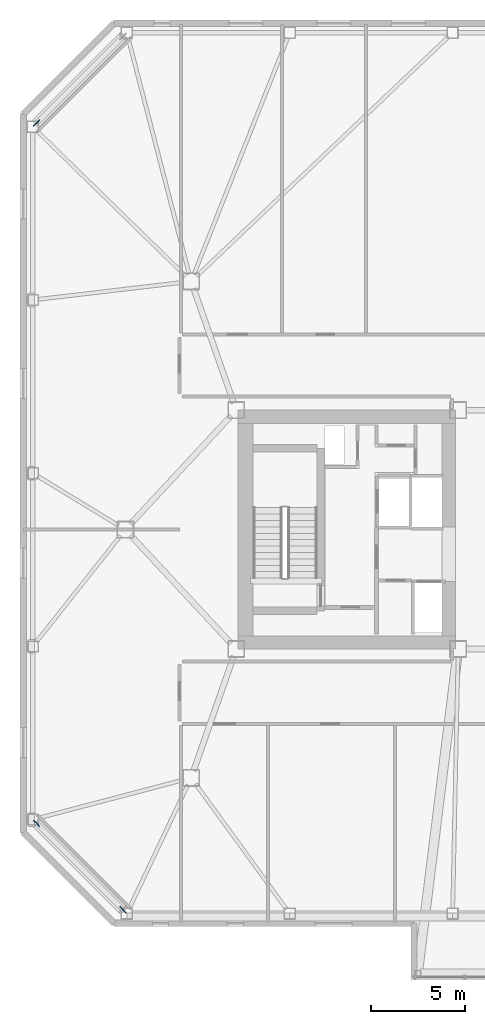
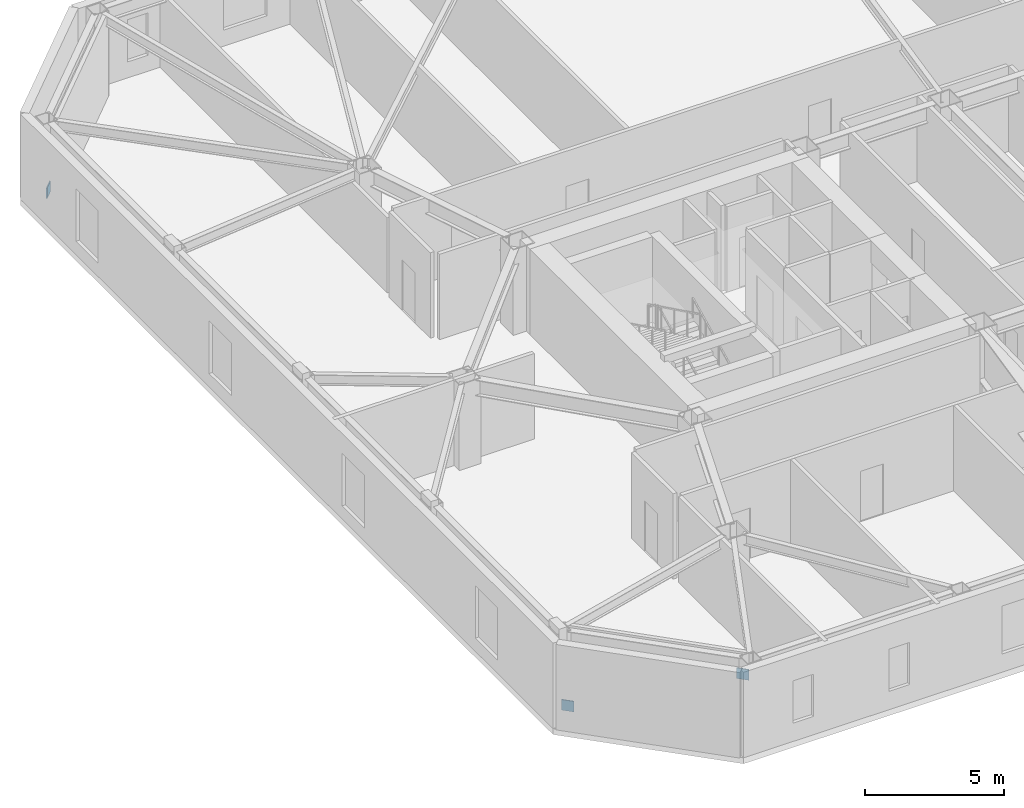
# One storey, part 16 of 19: 3 discrete accessories.
"""IFC4 building model written with IfcOpenShell, lengths in metres."""

from ifc_helpers import new_model, si_unit, direction, frame, origin, origin_2d, place, context, subcontext, project, spatial, rectangle, extrude, material, type_object, element, save


model = new_model("IFC4")

# Units and contexts
model_context = context("Model", 3, precision=1e-05, world=origin(), true_north=direction((0.0, 1.0)))
body_context = subcontext(model_context, "Body", "Model", "MODEL_VIEW")
ifc_project = project(units=[si_unit("LENGTHUNIT", "METRE"), si_unit("AREAUNIT", "SQUARE_METRE"), si_unit("VOLUMEUNIT", "CUBIC_METRE"), si_unit("PLANEANGLEUNIT", "RADIAN"), si_unit("MASSUNIT", "GRAM", prefix="KILO")], contexts=[model_context])

# Site, building, storey
site_placement = place(None, origin())
site = spatial("IfcSite", under=ifc_project, at=site_placement, CompositionType="ELEMENT")
building_placement = place(site_placement, origin())
building = spatial("IfcBuilding", under=site, at=building_placement, Name="Tavrogorsk Clinical Tower", CompositionType="ELEMENT")
storey_placement = place(building_placement, frame((0.0, 0.0, 156.199951171875)))
storey = spatial("IfcBuildingStorey", under=building, at=storey_placement, Name="L35", CompositionType="ELEMENT", Elevation=156.199951171875)

# Discrete accessories
ifc_material = material(Name="Structural steel S440", Category="steel")
discrete_accessory_type = type_object("IfcDiscreteAccessoryType", Name="GussetPlateBracket_25", PredefinedType="BRACKET", material=ifc_material)
for number, where, z_axis, x_axis, name in (
    (1, (-32.717529296875, 21.62255859375, 0.18310546875), (0.0, 0.0, 1.0), (0.707106781187, 0.707106781187, 0.0), "L35 Brace Gusset Plate EXOCRN-L35-3-A"),
    (2, (-32.717529296875, -15.62255859375, 0.18310546875), (0.0, 0.0, 1.0), (0.707106781187, -0.707106781187, 0.0), "L35 Brace Gusset Plate EXOCRN-L35-4-A"),
    (3, (-28.12255859375, -20.217529296875, 2.7470703125), (0.0, 0.0, 1.0), (0.707106781187, -0.707106781187, 0.0), "L35 Brace Gusset Plate EXOCRN-L35-4-B"),
):
    element("IfcDiscreteAccessory", number, at=place(storey_placement, frame(where, z_axis=z_axis, x_axis=x_axis)), inside=storey, type_object=discrete_accessory_type, Name=name, PredefinedType="BRACKET", context=body_context, shape_type="SweptSolid", body=[
        extrude(rectangle(XDim=0.4599609375, YDim=0.0400390625, at=origin_2d()), origin(), (0.0, 0.0, 1.0), 0.4599609375),
    ])

save(model, "model.ifc")
